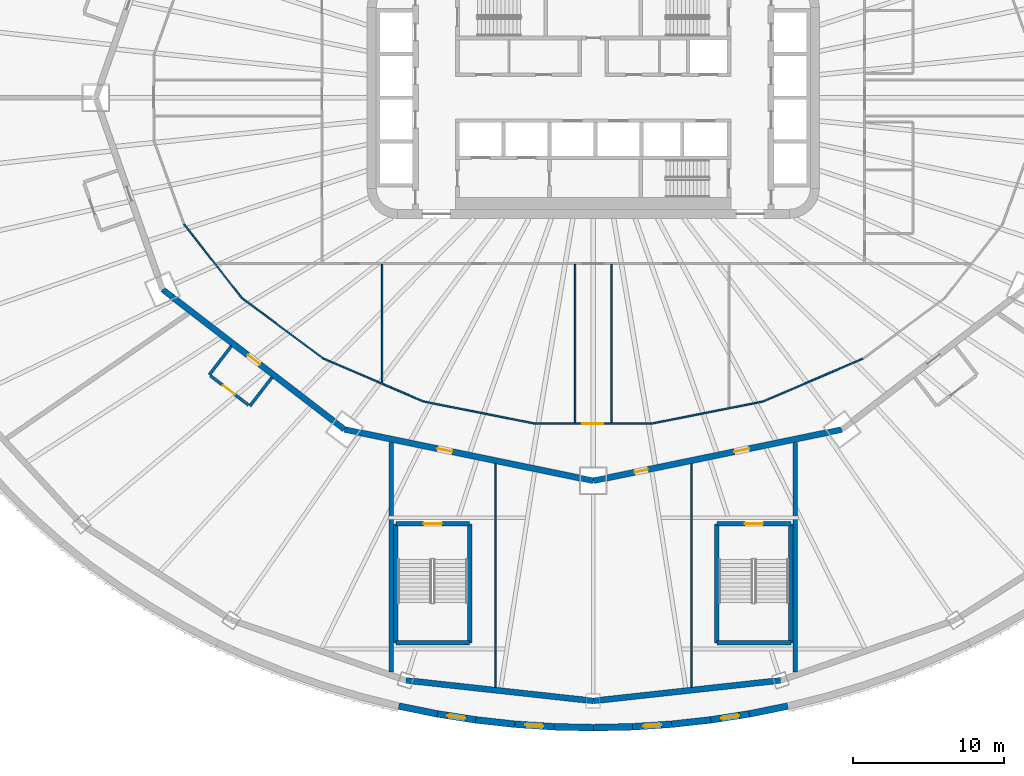
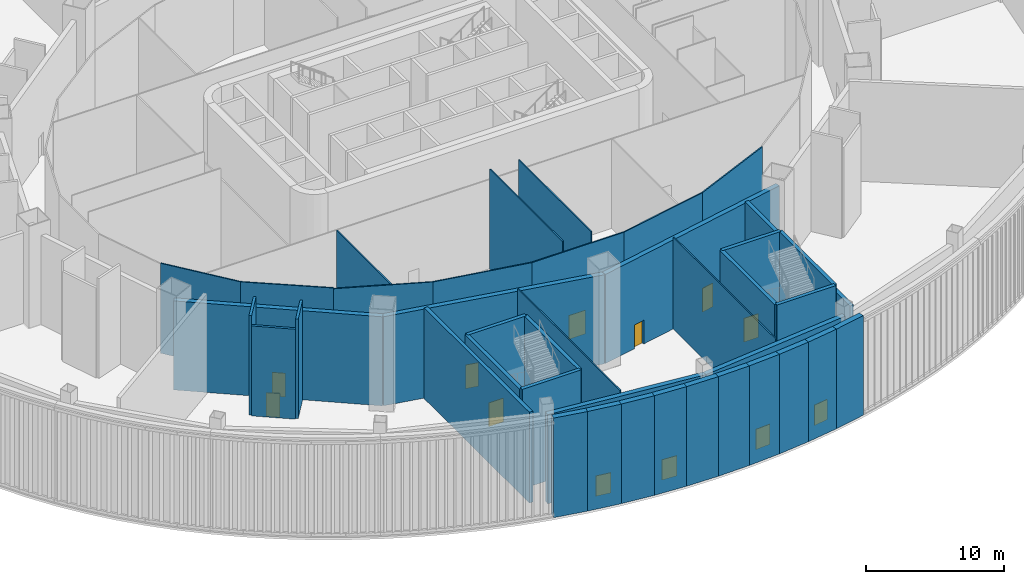
# One storey, part 6 of 35: 40 walls, 8 doors, 4 windows, 12 openings.
"""IFC4 building model written with IfcOpenShell, lengths in metres."""

from ifc_helpers import new_model, si_unit, direction, frame, frame_2d, origin, place, context, subcontext, project, spatial, rectangle, extrude, material, layer, layer_set, type_object, element, fill, save


model = new_model("IFC4")

# Units and contexts
model_context = context("Model", 3, precision=1e-05, world=origin(), true_north=direction((0.0, 1.0)))
body_context = subcontext(model_context, "Body", "Model", "MODEL_VIEW")
ifc_project = project(units=[si_unit("LENGTHUNIT", "METRE"), si_unit("AREAUNIT", "SQUARE_METRE"), si_unit("VOLUMEUNIT", "CUBIC_METRE"), si_unit("PLANEANGLEUNIT", "RADIAN"), si_unit("MASSUNIT", "GRAM", prefix="KILO")], contexts=[model_context])

# Site, building, storey
site_placement = place(None, origin())
site = spatial("IfcSite", under=ifc_project, at=site_placement, CompositionType="ELEMENT")
building_placement = place(site_placement, origin())
building = spatial("IfcBuilding", under=site, at=building_placement, Name="Sahrelin Media Tower", CompositionType="ELEMENT")
storey_placement = place(building_placement, frame((0.0, 0.0, 8.0)))
storey = spatial("IfcBuildingStorey", under=building, at=storey_placement, Name="L01", CompositionType="ELEMENT", Elevation=8.0)

# Walls
ifc_material_1 = material(Name="Fire-rated gypsum board partition")
ifc_layer_1 = layer(ifc_material_1, 0.199951171875)
ifc_layer_set_1 = layer_set([ifc_layer_1], Name="Fire-rated partition 200")
wall_type_1 = type_object("IfcWallType", Name="Fire-rated partition 200", PredefinedType="PARTITIONING", material=ifc_layer_set_1)
for number, where, z_axis, x_axis, name in (
    (1, (-24.008544921875, -16.47021484375, 0.0), (0.0, 0.0, 1.0), (-0.609946706972, -0.792442436177, 0.0), "Wall"),
    (2, (-21.314208984375, -18.5439453125, 0.0), (0.0, 0.0, 1.0), (-0.609946706972, -0.792442436177, 0.0), "Wall"),
):
    element("IfcWall", number, at=place(storey_placement, frame(where, z_axis=z_axis, x_axis=x_axis)), inside=storey, type_object=wall_type_1, Name=name, PredefinedType="PARTITIONING", context=body_context, shape_type="SweptSolid", body=[
        extrude(rectangle(XDim=2.39990234375, YDim=0.199951171875, at=frame_2d((1.199951171875, 0.0))), origin(), (0.0, 0.0, 1.0), 8.800048828125),
    ])

# Wall, opening, door
wall_1_placement = place(storey_placement, frame((-25.393310546875, -18.43310546875, 0.0), z_axis=(0.0, 0.0, 1.0), x_axis=(0.792476481098, -0.609902473274, 0.0)))
wall_1 = element("IfcWall", 3, at=wall_1_placement, inside=storey, type_object=wall_type_1, Name="Wall", PredefinedType="PARTITIONING", context=body_context, shape_type="SweptSolid", body=[
    extrude(rectangle(XDim=3.199951171875, YDim=0.199951171875, at=frame_2d((1.60009765625, 0.0))), origin(), (0.0, 0.0, 1.0), 7.945068359375),
])
opening_1_placement = place(wall_1_placement, frame((1.050048828125, 0.0, 0.0)))
opening_1 = element("IfcOpeningElement", 4, at=opening_1_placement, cuts=wall_1, Name="Opening L01-D68", PredefinedType="OPENING", context=body_context, shape_type="SweptSolid", body=[
    extrude(rectangle(XDim=1.0, YDim=2.10009765625, at=frame_2d((0.5, 1.050048828125))), frame((0.0, 0.10009765625, 0.0), z_axis=(0.0, -1.0, 0.0), x_axis=(1.0, 0.0, 0.0)), (0.0, 0.0, 1.0), 0.199951171875),
])
ifc_material_2 = material(Name="Steel fire door leaf", Category="steel")
door_type_1 = type_object("IfcDoorType", Name="Fire door 1000 x 2100 EI 60", OperationType="NOTDEFINED", PredefinedType="DOOR", material=ifc_material_2)
door_1_placement = place(opening_1_placement, origin())
door_1 = element("IfcDoor", 5, at=door_1_placement, inside=storey, type_object=door_type_1, Name="Fire door", OperationType="SINGLE_SWING_LEFT", OverallHeight=2.10009765625, OverallWidth=1.0, PredefinedType="DOOR", context=body_context, shape_type="SweptSolid", body=[
    extrude(rectangle(XDim=1.0, YDim=2.10009765625, at=frame_2d((0.5, 1.050048828125))), frame((0.0, 0.02490234375, 0.0), z_axis=(0.0, -1.0, 0.0), x_axis=(1.0, 0.0, 0.0)), (0.0, 0.0, 1.0), 0.050048828125),
])
fill(opening_1, door_1)

# Walls
ifc_layer_2 = layer(ifc_material_1, 0.300048828125)
ifc_layer_set_2 = layer_set([ifc_layer_2], Name="Fire-rated partition 300")
wall_type_2 = type_object("IfcWallType", Name="Fire-rated partition 300", PredefinedType="PARTITIONING", material=ifc_layer_set_2)
for number, where, z_axis, x_axis, name in (
    (6, (13.39990234375, -22.87158203125, 0.0), (0.0, 0.0, 1.0), (0.0, -1.0, 0.0), "Wall"),
    (7, (-13.39990234375, -22.87158203125, 0.0), (0.0, 0.0, 1.0), (0.0, -1.0, 0.0), "Wall"),
):
    element("IfcWall", number, at=place(storey_placement, frame(where, z_axis=z_axis, x_axis=x_axis)), inside=storey, type_object=wall_type_2, Name=name, PredefinedType="PARTITIONING", context=body_context, shape_type="SweptSolid", body=[
        extrude(rectangle(XDim=15.216796875, YDim=0.300048828125, at=frame_2d((7.6083984375, 0.0))), origin(), (0.0, 0.0, 1.0), 8.02587890625),
    ])
ifc_layer_3 = layer(ifc_material_1, 0.39990234375)
ifc_layer_set_3 = layer_set([ifc_layer_3], Name="Fire-rated partition 400")
wall_type_3 = type_object("IfcWallType", Name="Fire-rated partition 400", PredefinedType="PARTITIONING", material=ifc_layer_set_3)
for number, where, z_axis, x_axis, name in (
    (8, (-12.42333984375, -38.636962890625, 0.0), (0.0, 0.0, 1.0), (0.994035016934, -0.109061382297, 0.0), "Wall"),
    (9, (0.0, -40.0, 0.0), (0.0, 0.0, 1.0), (0.994035016934, 0.109061382297, 0.0), "Wall"),
):
    element("IfcWall", number, at=place(storey_placement, frame(where, z_axis=z_axis, x_axis=x_axis)), inside=storey, type_object=wall_type_3, Name=name, PredefinedType="PARTITIONING", context=body_context, shape_type="SweptSolid", body=[
        extrude(rectangle(XDim=12.497802734375, YDim=0.39990234375, at=frame_2d((6.2490234375, 0.0))), origin(), (0.0, 0.0, 1.0), 7.876953125),
    ])

# Wall, opening, door
wall_2_placement = place(storey_placement, frame((-28.578857421875, -12.699951171875, 0.0), z_axis=(0.0, 0.0, 1.0), x_axis=(0.792443539308, -0.609945273782, 0.0)))
wall_2 = element("IfcWall", 10, at=wall_2_placement, inside=storey, type_object=wall_type_3, Name="Wall", PredefinedType="PARTITIONING", context=body_context, shape_type="SweptSolid", body=[
    extrude(rectangle(XDim=15.242431640625, YDim=0.39990234375, at=frame_2d((7.62109375, 0.0))), origin(), (0.0, 0.0, 1.0), 7.8681640625),
])
opening_2_placement = place(wall_2_placement, frame((7.14990234375, 0.0, 0.0)))
opening_2 = element("IfcOpeningElement", 11, at=opening_2_placement, cuts=wall_2, Name="Opening L01-D67", PredefinedType="OPENING", context=body_context, shape_type="SweptSolid", body=[
    extrude(rectangle(XDim=1.0, YDim=2.10009765625, at=frame_2d((0.5, 1.050048828125))), frame((0.0, 0.199951171875, 0.0), z_axis=(0.0, -1.0, 0.0), x_axis=(1.0, 0.0, 0.0)), (0.0, 0.0, 1.0), 0.39990234375),
])
door_2_placement = place(opening_2_placement, origin())
door_2 = element("IfcDoor", 12, at=door_2_placement, inside=storey, type_object=door_type_1, Name="Fire door", OperationType="SINGLE_SWING_RIGHT", OverallHeight=2.10009765625, OverallWidth=1.0, PredefinedType="DOOR", context=body_context, shape_type="SweptSolid", body=[
    extrude(rectangle(XDim=1.0, YDim=2.10009765625, at=frame_2d((0.5, 1.050048828125))), frame((0.0, 0.02490234375, 0.0), z_axis=(0.0, -1.0, 0.0), x_axis=(1.0, 0.0, 0.0)), (0.0, 0.0, 1.0), 0.050048828125),
])
fill(opening_2, door_2)

wall_3_placement = place(storey_placement, frame((-16.5, -21.9970703125, 0.0), z_axis=(0.0, 0.0, 1.0), x_axis=(0.979389305257, -0.201981654484, 0.0)))
wall_3 = element("IfcWall", 13, at=wall_3_placement, inside=storey, type_object=wall_type_3, Name="Wall", PredefinedType="PARTITIONING", context=body_context, shape_type="SweptSolid", body=[
    extrude(rectangle(XDim=16.84716796875, YDim=0.39990234375, at=frame_2d((8.423583984375, 0.0))), origin(), (0.0, 0.0, 1.0), 7.8681640625),
])
opening_3_placement = place(wall_3_placement, frame((6.300048828125, 0.0, 0.0)))
opening_3 = element("IfcOpeningElement", 14, at=opening_3_placement, cuts=wall_3, Name="Opening L01-D23", PredefinedType="OPENING", context=body_context, shape_type="SweptSolid", body=[
    extrude(rectangle(XDim=1.0, YDim=2.10009765625, at=frame_2d((0.5, 1.050048828125))), frame((0.0, 0.199951171875, 0.0), z_axis=(0.0, -1.0, 0.0), x_axis=(1.0, 0.0, 0.0)), (0.0, 0.0, 1.0), 0.39990234375),
])
door_type_2 = type_object("IfcDoorType", Name="Lobby door 1000 x 2100 EI 60", OperationType="NOTDEFINED", PredefinedType="DOOR", material=ifc_material_2)
door_3_placement = place(opening_3_placement, origin())
door_3 = element("IfcDoor", 15, at=door_3_placement, inside=storey, type_object=door_type_2, Name="Lobby door", OperationType="SINGLE_SWING_LEFT", OverallHeight=2.10009765625, OverallWidth=1.0, PredefinedType="DOOR", context=body_context, shape_type="SweptSolid", body=[
    extrude(rectangle(XDim=1.0, YDim=2.10009765625, at=frame_2d((0.5, 1.050048828125))), frame((0.0, 0.02490234375, 0.0), z_axis=(0.0, -1.0, 0.0), x_axis=(1.0, 0.0, 0.0)), (0.0, 0.0, 1.0), 0.050048828125),
])
fill(opening_3, door_3)

# Wall, openings, doors
wall_4_placement = place(storey_placement, frame((0.0, -25.39990234375, 0.0), z_axis=(0.0, 0.0, 1.0), x_axis=(0.979389305257, 0.201981654484, 0.0)))
wall_4 = element("IfcWall", 16, at=wall_4_placement, inside=storey, type_object=wall_type_3, Name="Wall", PredefinedType="PARTITIONING", context=body_context, shape_type="SweptSolid", body=[
    extrude(rectangle(XDim=16.84716796875, YDim=0.39990234375, at=frame_2d((8.423583984375, 0.0))), origin(), (0.0, 0.0, 1.0), 7.8681640625),
])
opening_4_placement = place(wall_4_placement, frame((9.550048828125, 0.0, 0.0)))
opening_4 = element("IfcOpeningElement", 17, at=opening_4_placement, cuts=wall_4, Name="Opening L01-D24", PredefinedType="OPENING", context=body_context, shape_type="SweptSolid", body=[
    extrude(rectangle(XDim=1.0, YDim=2.10009765625, at=frame_2d((0.5, 1.050048828125))), frame((0.0, 0.199951171875, 0.0), z_axis=(0.0, -1.0, 0.0), x_axis=(1.0, 0.0, 0.0)), (0.0, 0.0, 1.0), 0.39990234375),
])
opening_5_placement = place(wall_4_placement, frame((2.800048828125, 0.0, 0.0)))
opening_5 = element("IfcOpeningElement", 18, at=opening_5_placement, cuts=wall_4, Name="Opening L01-D31", PredefinedType="OPENING", context=body_context, shape_type="SweptSolid", body=[
    extrude(rectangle(XDim=0.89990234375, YDim=2.10009765625, at=frame_2d((0.449951171875, 1.050048828125))), frame((0.0, 0.199951171875, 0.0), z_axis=(0.0, -1.0, 0.0), x_axis=(1.0, 0.0, 0.0)), (0.0, 0.0, 1.0), 0.39990234375),
])
door_4_placement = place(opening_4_placement, origin())
door_4 = element("IfcDoor", 19, at=door_4_placement, inside=storey, type_object=door_type_2, Name="Lobby door", OperationType="SINGLE_SWING_RIGHT", OverallHeight=2.10009765625, OverallWidth=1.0, PredefinedType="DOOR", context=body_context, shape_type="SweptSolid", body=[
    extrude(rectangle(XDim=1.0, YDim=2.10009765625, at=frame_2d((0.5, 1.050048828125))), frame((0.0, 0.02490234375, 0.0), z_axis=(0.0, -1.0, 0.0), x_axis=(1.0, 0.0, 0.0)), (0.0, 0.0, 1.0), 0.050048828125),
])
fill(opening_4, door_4)
ifc_material_3 = material(Name="Timber door leaf", Category="wood")
door_type_3 = type_object("IfcDoorType", Name="Single door 900 x 2100", OperationType="NOTDEFINED", PredefinedType="DOOR", material=ifc_material_3)
door_5_placement = place(opening_5_placement, origin())
door_5 = element("IfcDoor", 20, at=door_5_placement, inside=storey, type_object=door_type_3, Name="Single door", OperationType="SINGLE_SWING_LEFT", OverallHeight=2.10009765625, OverallWidth=0.89990234375, PredefinedType="DOOR", context=body_context, shape_type="SweptSolid", body=[
    extrude(rectangle(XDim=0.89990234375, YDim=2.10009765625, at=frame_2d((0.449951171875, 1.050048828125))), frame((0.0, 0.02490234375, 0.0), z_axis=(0.0, -1.0, 0.0), x_axis=(1.0, 0.0, 0.0)), (0.0, 0.0, 1.0), 0.050048828125),
])
fill(opening_5, door_5)

# Walls
ifc_material_4 = material(Name="Gypsum board partition")
ifc_layer_4 = layer(ifc_material_4, 0.10009765625)
ifc_layer_set_4 = layer_set([ifc_layer_4], Name="Partition 100")
wall_type_4 = type_object("IfcWallType", Name="Partition 100", PredefinedType="PARTITIONING", material=ifc_layer_set_4)
wall_5_placement = place(storey_placement, frame((-27.162109375, -8.342529296875, 0.0), z_axis=(0.0, 0.0, 1.0), x_axis=(0.614354540541, -0.78903009988, 0.0)))
element("IfcWall", 21, at=wall_5_placement, inside=storey, type_object=wall_type_4, Name="Wall", PredefinedType="PARTITIONING", context=body_context, shape_type="SweptSolid", body=[
    extrude(rectangle(XDim=6.246337890625, YDim=0.10009765625, at=frame_2d((3.123046875, 0.0))), origin(), (0.0, 0.0, 1.0), 7.945068359375),
])
wall_6_placement = place(storey_placement, frame((-23.32470703125, -13.27099609375, 0.0), z_axis=(0.0, 0.0, 1.0), x_axis=(0.803261991148, -0.595625867115, 0.0)))
element("IfcWall", 22, at=wall_6_placement, inside=storey, type_object=wall_type_4, Name="Wall", PredefinedType="PARTITIONING", context=body_context, shape_type="SweptSolid", body=[
    extrude(rectangle(XDim=6.756103515625, YDim=0.10009765625, at=frame_2d((3.3779296875, 0.0))), origin(), (0.0, 0.0, 1.0), 7.945068359375),
])
wall_7_placement = place(storey_placement, frame((-17.897705078125, -17.295166015625, 0.0), z_axis=(0.0, 0.0, 1.0), x_axis=(0.919302147288, -0.3935524895, 0.0)))
element("IfcWall", 23, at=wall_7_placement, inside=storey, type_object=wall_type_4, Name="Wall", PredefinedType="PARTITIONING", context=body_context, shape_type="SweptSolid", body=[
    extrude(rectangle(XDim=7.230224609375, YDim=0.10009765625, at=frame_2d((3.615234375, 0.0))), origin(), (0.0, 0.0, 1.0), 7.876953125),
])
wall_8_placement = place(storey_placement, frame((-11.2509765625, -20.140625, 0.0), z_axis=(0.0, 0.0, 1.0), x_axis=(0.980829586671, -0.194867447026, 0.0)))
element("IfcWall", 24, at=wall_8_placement, inside=storey, type_object=wall_type_4, Name="Wall", PredefinedType="PARTITIONING", context=body_context, shape_type="SweptSolid", body=[
    extrude(rectangle(XDim=7.55859375, YDim=0.10009765625, at=frame_2d((3.779296875, 0.0))), origin(), (0.0, 0.0, 1.0), 7.876953125),
])

# Wall, opening, door
wall_9_placement = place(storey_placement, frame((-3.83740234375, -21.613525390625, 0.0), z_axis=(0.0, 0.0, 1.0), x_axis=(1.0, 0.0, 0.0)))
wall_9 = element("IfcWall", 25, at=wall_9_placement, inside=storey, type_object=wall_type_4, Name="Wall", PredefinedType="PARTITIONING", context=body_context, shape_type="SweptSolid", body=[
    extrude(rectangle(XDim=7.6748046875, YDim=0.10009765625, at=frame_2d((3.83740234375, 0.0))), origin(), (0.0, 0.0, 1.0), 7.876953125),
])
opening_6_placement = place(wall_9_placement, frame((3.10009765625, 0.0, 0.0)))
opening_6 = element("IfcOpeningElement", 26, at=opening_6_placement, cuts=wall_9, Name="Opening L01-D42", PredefinedType="OPENING", context=body_context, shape_type="SweptSolid", body=[
    extrude(rectangle(XDim=1.39990234375, YDim=2.10009765625, at=frame_2d((0.699951171875, 1.050048828125))), frame((0.0, 0.050048828125, 0.0), z_axis=(0.0, -1.0, 0.0), x_axis=(1.0, 0.0, 0.0)), (0.0, 0.0, 1.0), 0.10009765625),
])
door_type_4 = type_object("IfcDoorType", Name="Single door 1400 x 2100", OperationType="NOTDEFINED", PredefinedType="DOOR", material=ifc_material_3)
door_6_placement = place(opening_6_placement, origin())
door_6 = element("IfcDoor", 27, at=door_6_placement, inside=storey, type_object=door_type_4, Name="Single door", OperationType="SINGLE_SWING_LEFT", OverallHeight=2.10009765625, OverallWidth=1.39990234375, PredefinedType="DOOR", context=body_context, shape_type="SweptSolid", body=[
    extrude(rectangle(XDim=1.39990234375, YDim=2.10009765625, at=frame_2d((0.699951171875, 1.050048828125))), frame((0.0, 0.02490234375, 0.0), z_axis=(0.0, -1.0, 0.0), x_axis=(1.0, 0.0, 0.0)), (0.0, 0.0, 1.0), 0.050048828125),
])
fill(opening_6, door_6)

# Walls
wall_10_placement = place(storey_placement, frame((3.83740234375, -21.613525390625, 0.0), z_axis=(0.0, 0.0, 1.0), x_axis=(0.980829586671, 0.194867447026, 0.0)))
element("IfcWall", 28, at=wall_10_placement, inside=storey, type_object=wall_type_4, Name="Wall", PredefinedType="PARTITIONING", context=body_context, shape_type="SweptSolid", body=[
    extrude(rectangle(XDim=7.55859375, YDim=0.10009765625, at=frame_2d((3.779296875, 0.0))), origin(), (0.0, 0.0, 1.0), 7.876953125),
])
wall_11_placement = place(storey_placement, frame((11.2509765625, -20.140625, 0.0), z_axis=(0.0, 0.0, 1.0), x_axis=(0.919302147288, 0.3935524895, 0.0)))
element("IfcWall", 29, at=wall_11_placement, inside=storey, type_object=wall_type_4, Name="Wall", PredefinedType="PARTITIONING", context=body_context, shape_type="SweptSolid", body=[
    extrude(rectangle(XDim=7.230224609375, YDim=0.10009765625, at=frame_2d((3.615234375, 0.0))), origin(), (0.0, 0.0, 1.0), 7.876953125),
])
wall_12_placement = place(storey_placement, frame((-14.0, -11.050048828125, 0.0), z_axis=(0.0, 0.0, 1.0), x_axis=(0.0, -1.0, 0.0)))
element("IfcWall", 30, at=wall_12_placement, inside=storey, type_object=wall_type_4, Name="Wall", PredefinedType="PARTITIONING", context=body_context, shape_type="SweptSolid", body=[
    extrude(rectangle(XDim=7.837890625, YDim=0.10009765625, at=frame_2d((3.9189453125, 0.0))), origin(), (0.0, 0.0, 1.0), 7.876953125),
])
for number, where, z_axis, x_axis, name in (
    (31, (-1.199951171875, -11.050048828125, 0.0), (0.0, 0.0, 1.0), (0.0, -1.0, 0.0), "Wall"),
    (32, (1.199951171875, -11.050048828125, 0.0), (0.0, 0.0, 1.0), (0.0, -1.0, 0.0), "Wall"),
):
    element("IfcWall", number, at=place(storey_placement, frame(where, z_axis=z_axis, x_axis=x_axis)), inside=storey, type_object=wall_type_4, Name=name, PredefinedType="PARTITIONING", context=body_context, shape_type="SweptSolid", body=[
        extrude(rectangle(XDim=10.513427734375, YDim=0.10009765625, at=frame_2d((5.2568359375, 0.0))), origin(), (0.0, 0.0, 1.0), 8.800048828125),
    ])
for number, where, z_axis, x_axis, name in (
    (33, (6.5, -24.27392578125, 0.0), (0.0, 0.0, 1.0), (0.0, -1.0, 0.0), "Wall"),
    (34, (-6.5, -24.27392578125, 0.0), (0.0, 0.0, 1.0), (0.0, -1.0, 0.0), "Wall"),
):
    element("IfcWall", number, at=place(storey_placement, frame(where, z_axis=z_axis, x_axis=x_axis)), inside=storey, type_object=wall_type_4, Name=name, PredefinedType="PARTITIONING", context=body_context, shape_type="SweptSolid", body=[
        extrude(rectangle(XDim=14.811767578125, YDim=0.10009765625, at=frame_2d((7.40576171875, 0.0))), origin(), (0.0, 0.0, 1.0), 8.10205078125),
    ])
ifc_material_5 = material(Name="Concrete C60/75", Category="concrete")
ifc_layer_5 = layer(ifc_material_5, 0.300048828125)
ifc_layer_set_5 = layer_set([ifc_layer_5], Name="Stair enclosure wall 300")
wall_type_5 = type_object("IfcWallType", Name="Stair enclosure wall 300", PredefinedType="SOLIDWALL", material=ifc_layer_set_5)
wall_13_placement = place(storey_placement, frame((-8.199951171875, -36.14990234375, 0.0), z_axis=(0.0, 0.0, 1.0), x_axis=(-1.0, 0.0, 0.0)))
element("IfcWall", 35, at=wall_13_placement, inside=storey, type_object=wall_type_5, Name="Stair PS3", PredefinedType="SOLIDWALL", context=body_context, shape_type="SweptSolid", body=[
    extrude(rectangle(XDim=4.900146484375, YDim=0.300048828125, at=frame_2d((2.4501953125, 0.0))), origin(), (0.0, 0.0, 1.0), 8.800048828125),
])
wall_14_placement = place(storey_placement, frame((-13.10009765625, -36.14990234375, 0.0), z_axis=(0.0, 0.0, 1.0), x_axis=(0.0, 1.0, 0.0)))
element("IfcWall", 36, at=wall_14_placement, inside=storey, type_object=wall_type_5, Name="Stair PS3", PredefinedType="SOLIDWALL", context=body_context, shape_type="SweptSolid", body=[
    extrude(rectangle(XDim=7.89990234375, YDim=0.300048828125, at=frame_2d((3.949951171875, 0.0))), origin(), (0.0, 0.0, 1.0), 8.800048828125),
])

# Wall, opening, door
wall_15_placement = place(storey_placement, frame((-13.10009765625, -28.25, 0.0), z_axis=(0.0, 0.0, 1.0), x_axis=(1.0, 0.0, 0.0)))
wall_15 = element("IfcWall", 37, at=wall_15_placement, inside=storey, type_object=wall_type_5, Name="Stair PS3", PredefinedType="SOLIDWALL", context=body_context, shape_type="SweptSolid", body=[
    extrude(rectangle(XDim=4.900146484375, YDim=0.300048828125, at=frame_2d((2.4501953125, 0.0))), origin(), (0.0, 0.0, 1.0), 8.800048828125),
])
opening_7_placement = place(wall_15_placement, frame((1.85009765625, 0.0, 0.0)))
opening_7 = element("IfcOpeningElement", 38, at=opening_7_placement, cuts=wall_15, Name="Opening L01-D29", PredefinedType="OPENING", context=body_context, shape_type="SweptSolid", body=[
    extrude(rectangle(XDim=1.199951171875, YDim=2.10009765625, at=frame_2d((0.60009765625, 1.050048828125))), frame((0.0, 0.14990234375, 0.0), z_axis=(0.0, -1.0, 0.0), x_axis=(1.0, 0.0, 0.0)), (0.0, 0.0, 1.0), 0.300048828125),
])
door_type_5 = type_object("IfcDoorType", Name="Stair door 1200 x 2100 EI 120", OperationType="NOTDEFINED", PredefinedType="DOOR", material=ifc_material_2)
door_7_placement = place(opening_7_placement, origin())
door_7 = element("IfcDoor", 39, at=door_7_placement, inside=storey, type_object=door_type_5, Name="Stair door", OperationType="SINGLE_SWING_RIGHT", OverallHeight=2.10009765625, OverallWidth=1.199951171875, PredefinedType="DOOR", context=body_context, shape_type="SweptSolid", body=[
    extrude(rectangle(XDim=1.199951171875, YDim=2.10009765625, at=frame_2d((0.60009765625, 1.050048828125))), frame((0.0, 0.02490234375, 0.0), z_axis=(0.0, -1.0, 0.0), x_axis=(1.0, 0.0, 0.0)), (0.0, 0.0, 1.0), 0.050048828125),
])
fill(opening_7, door_7)

# Walls
wall_16_placement = place(storey_placement, frame((-8.199951171875, -28.25, 0.0), z_axis=(0.0, 0.0, 1.0), x_axis=(0.0, -1.0, 0.0)))
element("IfcWall", 40, at=wall_16_placement, inside=storey, type_object=wall_type_5, Name="Stair PS3", PredefinedType="SOLIDWALL", context=body_context, shape_type="SweptSolid", body=[
    extrude(rectangle(XDim=7.89990234375, YDim=0.300048828125, at=frame_2d((3.949951171875, 0.0))), origin(), (0.0, 0.0, 1.0), 8.800048828125),
])
wall_17_placement = place(storey_placement, frame((13.10009765625, -36.14990234375, 0.0), z_axis=(0.0, 0.0, 1.0), x_axis=(-1.0, 0.0, 0.0)))
element("IfcWall", 41, at=wall_17_placement, inside=storey, type_object=wall_type_5, Name="Stair PS4", PredefinedType="SOLIDWALL", context=body_context, shape_type="SweptSolid", body=[
    extrude(rectangle(XDim=4.900146484375, YDim=0.300048828125, at=frame_2d((2.4501953125, 0.0))), origin(), (0.0, 0.0, 1.0), 8.800048828125),
])
wall_18_placement = place(storey_placement, frame((8.199951171875, -36.14990234375, 0.0), z_axis=(0.0, 0.0, 1.0), x_axis=(0.0, 1.0, 0.0)))
element("IfcWall", 42, at=wall_18_placement, inside=storey, type_object=wall_type_5, Name="Stair PS4", PredefinedType="SOLIDWALL", context=body_context, shape_type="SweptSolid", body=[
    extrude(rectangle(XDim=7.89990234375, YDim=0.300048828125, at=frame_2d((3.949951171875, 0.0))), origin(), (0.0, 0.0, 1.0), 8.800048828125),
])

# Wall, opening, door
wall_19_placement = place(storey_placement, frame((8.199951171875, -28.25, 0.0), z_axis=(0.0, 0.0, 1.0), x_axis=(1.0, 0.0, 0.0)))
wall_19 = element("IfcWall", 43, at=wall_19_placement, inside=storey, type_object=wall_type_5, Name="Stair PS4", PredefinedType="SOLIDWALL", context=body_context, shape_type="SweptSolid", body=[
    extrude(rectangle(XDim=4.900146484375, YDim=0.300048828125, at=frame_2d((2.4501953125, 0.0))), origin(), (0.0, 0.0, 1.0), 8.800048828125),
])
opening_8_placement = place(wall_19_placement, frame((1.85009765625, 0.0, 0.0)))
opening_8 = element("IfcOpeningElement", 44, at=opening_8_placement, cuts=wall_19, Name="Opening L01-D30", PredefinedType="OPENING", context=body_context, shape_type="SweptSolid", body=[
    extrude(rectangle(XDim=1.199951171875, YDim=2.10009765625, at=frame_2d((0.60009765625, 1.050048828125))), frame((0.0, 0.14990234375, 0.0), z_axis=(0.0, -1.0, 0.0), x_axis=(1.0, 0.0, 0.0)), (0.0, 0.0, 1.0), 0.300048828125),
])
door_8_placement = place(opening_8_placement, origin())
door_8 = element("IfcDoor", 45, at=door_8_placement, inside=storey, type_object=door_type_5, Name="Stair door", OperationType="SINGLE_SWING_RIGHT", OverallHeight=2.10009765625, OverallWidth=1.199951171875, PredefinedType="DOOR", context=body_context, shape_type="SweptSolid", body=[
    extrude(rectangle(XDim=1.199951171875, YDim=2.10009765625, at=frame_2d((0.60009765625, 1.050048828125))), frame((0.0, 0.02490234375, 0.0), z_axis=(0.0, -1.0, 0.0), x_axis=(1.0, 0.0, 0.0)), (0.0, 0.0, 1.0), 0.050048828125),
])
fill(opening_8, door_8)

# Walls
wall_20_placement = place(storey_placement, frame((13.10009765625, -28.25, 0.0), z_axis=(0.0, 0.0, 1.0), x_axis=(0.0, -1.0, 0.0)))
element("IfcWall", 46, at=wall_20_placement, inside=storey, type_object=wall_type_5, Name="Stair PS4", PredefinedType="SOLIDWALL", context=body_context, shape_type="SweptSolid", body=[
    extrude(rectangle(XDim=7.89990234375, YDim=0.300048828125, at=frame_2d((3.949951171875, 0.0))), origin(), (0.0, 0.0, 1.0), 8.800048828125),
])
ifc_material_6 = material(Name="Concrete C40/50", Category="concrete")
ifc_layer_6 = layer(ifc_material_6, 0.449951171875)
ifc_layer_set_6 = layer_set([ifc_layer_6], Name="Studio facade wall")
wall_type_6 = type_object("IfcWallType", Name="Studio facade wall", PredefinedType="SOLIDWALL", material=ifc_layer_set_6)
wall_21_placement = place(storey_placement, frame((-12.896484375, -40.348388671875, 0.0), z_axis=(0.0, 0.0, 1.0), x_axis=(0.980275735323, -0.197634720473, 0.0)))
element("IfcWall", 47, at=wall_21_placement, inside=storey, type_object=wall_type_6, Name="Production office facade wall L01-P17-1", PredefinedType="SOLIDWALL", context=body_context, shape_type="SweptSolid", body=[
    extrude(rectangle(XDim=2.5966796875, YDim=0.449951171875, at=frame_2d((1.29833984375, 0.0))), origin(), (0.0, 0.0, 1.0), 8.800048828125),
])

# Wall, opening, window
wall_22_placement = place(storey_placement, frame((-10.361083984375, -40.85986328125, 0.0), z_axis=(0.0, 0.0, 1.0), x_axis=(0.98810254681, -0.153796479115, 0.0)))
wall_22 = element("IfcWall", 48, at=wall_22_placement, inside=storey, type_object=wall_type_6, Name="Production office facade wall L01-P17-2", PredefinedType="SOLIDWALL", context=body_context, shape_type="SweptSolid", body=[
    extrude(rectangle(XDim=2.60498046875, YDim=0.449951171875, at=frame_2d((1.302490234375, 0.0))), origin(), (0.0, 0.0, 1.0), 8.800048828125),
])
opening_9_placement = place(wall_22_placement, frame((0.702392578125, 0.0, 1.0)))
opening_9 = element("IfcOpeningElement", 49, at=opening_9_placement, cuts=wall_22, Name="Opening WS1", PredefinedType="OPENING", context=body_context, shape_type="SweptSolid", body=[
    extrude(rectangle(XDim=1.199951171875, YDim=1.800048828125, at=frame_2d((0.60009765625, 0.89990234375))), frame((0.0, 0.22509765625, 0.0), z_axis=(0.0, -1.0, 0.0), x_axis=(1.0, 0.0, 0.0)), (0.0, 0.0, 1.0), 0.449951171875),
])
ifc_material_7 = material(Name="Clear low-iron glazing", Category="glass")
window_type = type_object("IfcWindowType", Name="Production office window 1200x1800", PartitioningType="SINGLE_PANEL", PredefinedType="WINDOW", material=ifc_material_7)
window_1_placement = place(opening_9_placement, origin())
window_1 = element("IfcWindow", 50, at=window_1_placement, inside=storey, type_object=window_type, Name="L01:WIN2:L01-P17", OverallHeight=1.800048828125, OverallWidth=1.199951171875, PartitioningType="SINGLE_PANEL", PredefinedType="WINDOW", context=body_context, shape_type="SweptSolid", body=[
    extrude(rectangle(XDim=1.199951171875, YDim=1.800048828125, at=frame_2d((0.60009765625, 0.89990234375))), frame((0.0, 0.030029296875, 0.0), z_axis=(0.0, -1.0, 0.0), x_axis=(1.0, 0.0, 0.0)), (0.0, 0.0, 1.0), 0.06005859375),
])
fill(opening_9, window_1)

# Wall
wall_23_placement = place(storey_placement, frame((-7.797119140625, -41.25927734375, 0.0), z_axis=(0.0, 0.0, 1.0), x_axis=(0.993937205813, -0.109949219644, 0.0)))
element("IfcWall", 51, at=wall_23_placement, inside=storey, type_object=wall_type_6, Name="Production office facade wall L01-P17-3", PredefinedType="SOLIDWALL", context=body_context, shape_type="SweptSolid", body=[
    extrude(rectangle(XDim=2.611328125, YDim=0.449951171875, at=frame_2d((1.3056640625, 0.0))), origin(), (0.0, 0.0, 1.0), 8.800048828125),
])

# Wall, opening, window
wall_24_placement = place(storey_placement, frame((-5.211669921875, -41.54541015625, 0.0), z_axis=(0.0, 0.0, 1.0), x_axis=(0.997819718638, -0.065998553754, 0.0)))
wall_24 = element("IfcWall", 52, at=wall_24_placement, inside=storey, type_object=wall_type_6, Name="Production office facade wall L01-P17-4", PredefinedType="SOLIDWALL", context=body_context, shape_type="SweptSolid", body=[
    extrude(rectangle(XDim=2.615234375, YDim=0.449951171875, at=frame_2d((1.3076171875, 0.0))), origin(), (0.0, 0.0, 1.0), 8.800048828125),
])
opening_10_placement = place(wall_24_placement, frame((0.70751953125, 0.0, 1.0)))
opening_10 = element("IfcOpeningElement", 53, at=opening_10_placement, cuts=wall_24, Name="Opening WS1", PredefinedType="OPENING", context=body_context, shape_type="SweptSolid", body=[
    extrude(rectangle(XDim=1.199951171875, YDim=1.800048828125, at=frame_2d((0.60009765625, 0.89990234375))), frame((0.0, 0.22509765625, 0.0), z_axis=(0.0, -1.0, 0.0), x_axis=(1.0, 0.0, 0.0)), (0.0, 0.0, 1.0), 0.449951171875),
])
window_2_placement = place(opening_10_placement, origin())
window_2 = element("IfcWindow", 54, at=window_2_placement, inside=storey, type_object=window_type, Name="L01:WIN4:L01-P17", OverallHeight=1.800048828125, OverallWidth=1.199951171875, PartitioningType="SINGLE_PANEL", PredefinedType="WINDOW", context=body_context, shape_type="SweptSolid", body=[
    extrude(rectangle(XDim=1.199951171875, YDim=1.800048828125, at=frame_2d((0.60009765625, 0.89990234375))), frame((0.0, 0.030029296875, 0.0), z_axis=(0.0, -1.0, 0.0), x_axis=(1.0, 0.0, 0.0)), (0.0, 0.0, 1.0), 0.06005859375),
])
fill(opening_10, window_2)

# Walls
for number, where, z_axis, x_axis, name in (
    (55, (-2.61181640625, -41.717529296875, 0.0), (0.0, 0.0, 1.0), (0.999757669199, -0.022013697512, 0.0), "Production office facade wall L01-P17-5"),
    (56, (-0.0048828125, -41.775146484375, 0.0), (0.0, 0.0, 1.0), (0.999757669199, 0.022013697512, 0.0), "Production office facade wall L01-P18-1"),
):
    element("IfcWall", number, at=place(storey_placement, frame(where, z_axis=z_axis, x_axis=x_axis)), inside=storey, type_object=wall_type_6, Name=name, PredefinedType="SOLIDWALL", context=body_context, shape_type="SweptSolid", body=[
        extrude(rectangle(XDim=2.617431640625, YDim=0.449951171875, at=frame_2d((1.30859375, 0.0))), origin(), (0.0, 0.0, 1.0), 8.800048828125),
    ])

# Wall, opening, window
wall_25_placement = place(storey_placement, frame((2.60205078125, -41.718017578125, 0.0), z_axis=(0.0, 0.0, 1.0), x_axis=(0.997819718638, 0.065998553754, 0.0)))
wall_25 = element("IfcWall", 57, at=wall_25_placement, inside=storey, type_object=wall_type_6, Name="Production office facade wall L01-P18-2", PredefinedType="SOLIDWALL", context=body_context, shape_type="SweptSolid", body=[
    extrude(rectangle(XDim=2.615234375, YDim=0.449951171875, at=frame_2d((1.3076171875, 0.0))), origin(), (0.0, 0.0, 1.0), 8.800048828125),
])
opening_11_placement = place(wall_25_placement, frame((0.70751953125, 0.0, 1.0)))
opening_11 = element("IfcOpeningElement", 58, at=opening_11_placement, cuts=wall_25, Name="Opening WS1", PredefinedType="OPENING", context=body_context, shape_type="SweptSolid", body=[
    extrude(rectangle(XDim=1.199951171875, YDim=1.800048828125, at=frame_2d((0.60009765625, 0.89990234375))), frame((0.0, 0.22509765625, 0.0), z_axis=(0.0, -1.0, 0.0), x_axis=(1.0, 0.0, 0.0)), (0.0, 0.0, 1.0), 0.449951171875),
])
window_3_placement = place(opening_11_placement, origin())
window_3 = element("IfcWindow", 59, at=window_3_placement, inside=storey, type_object=window_type, Name="L01:WIN2:L01-P18", OverallHeight=1.800048828125, OverallWidth=1.199951171875, PartitioningType="SINGLE_PANEL", PredefinedType="WINDOW", context=body_context, shape_type="SweptSolid", body=[
    extrude(rectangle(XDim=1.199951171875, YDim=1.800048828125, at=frame_2d((0.60009765625, 0.89990234375))), frame((0.0, 0.030029296875, 0.0), z_axis=(0.0, -1.0, 0.0), x_axis=(1.0, 0.0, 0.0)), (0.0, 0.0, 1.0), 0.06005859375),
])
fill(opening_11, window_3)

# Wall
wall_26_placement = place(storey_placement, frame((5.20166015625, -41.54638671875, 0.0), z_axis=(0.0, 0.0, 1.0), x_axis=(0.993937205813, 0.109949219644, 0.0)))
element("IfcWall", 60, at=wall_26_placement, inside=storey, type_object=wall_type_6, Name="Production office facade wall L01-P18-3", PredefinedType="SOLIDWALL", context=body_context, shape_type="SweptSolid", body=[
    extrude(rectangle(XDim=2.611328125, YDim=0.449951171875, at=frame_2d((1.3056640625, 0.0))), origin(), (0.0, 0.0, 1.0), 8.800048828125),
])

# Wall, opening, window
wall_27_placement = place(storey_placement, frame((7.787109375, -41.260498046875, 0.0), z_axis=(0.0, 0.0, 1.0), x_axis=(0.98810254681, 0.153796479115, 0.0)))
wall_27 = element("IfcWall", 61, at=wall_27_placement, inside=storey, type_object=wall_type_6, Name="Production office facade wall L01-P18-4", PredefinedType="SOLIDWALL", context=body_context, shape_type="SweptSolid", body=[
    extrude(rectangle(XDim=2.60498046875, YDim=0.449951171875, at=frame_2d((1.302490234375, 0.0))), origin(), (0.0, 0.0, 1.0), 8.800048828125),
])
opening_12_placement = place(wall_27_placement, frame((0.702392578125, 0.0, 1.0)))
opening_12 = element("IfcOpeningElement", 62, at=opening_12_placement, cuts=wall_27, Name="Opening WS1", PredefinedType="OPENING", context=body_context, shape_type="SweptSolid", body=[
    extrude(rectangle(XDim=1.199951171875, YDim=1.800048828125, at=frame_2d((0.60009765625, 0.89990234375))), frame((0.0, 0.22509765625, 0.0), z_axis=(0.0, -1.0, 0.0), x_axis=(1.0, 0.0, 0.0)), (0.0, 0.0, 1.0), 0.449951171875),
])
window_4_placement = place(opening_12_placement, origin())
window_4 = element("IfcWindow", 63, at=window_4_placement, inside=storey, type_object=window_type, Name="L01:WIN4:L01-P18", OverallHeight=1.800048828125, OverallWidth=1.199951171875, PartitioningType="SINGLE_PANEL", PredefinedType="WINDOW", context=body_context, shape_type="SweptSolid", body=[
    extrude(rectangle(XDim=1.199951171875, YDim=1.800048828125, at=frame_2d((0.60009765625, 0.89990234375))), frame((0.0, 0.030029296875, 0.0), z_axis=(0.0, -1.0, 0.0), x_axis=(1.0, 0.0, 0.0)), (0.0, 0.0, 1.0), 0.06005859375),
])
fill(opening_12, window_4)

# Wall
wall_28_placement = place(storey_placement, frame((10.35107421875, -40.861572265625, 0.0), z_axis=(0.0, 0.0, 1.0), x_axis=(0.980275735323, 0.197634720473, 0.0)))
element("IfcWall", 64, at=wall_28_placement, inside=storey, type_object=wall_type_6, Name="Production office facade wall L01-P18-5", PredefinedType="SOLIDWALL", context=body_context, shape_type="SweptSolid", body=[
    extrude(rectangle(XDim=2.5966796875, YDim=0.449951171875, at=frame_2d((1.29833984375, 0.0))), origin(), (0.0, 0.0, 1.0), 8.800048828125),
])

save(model, "model.ifc")
